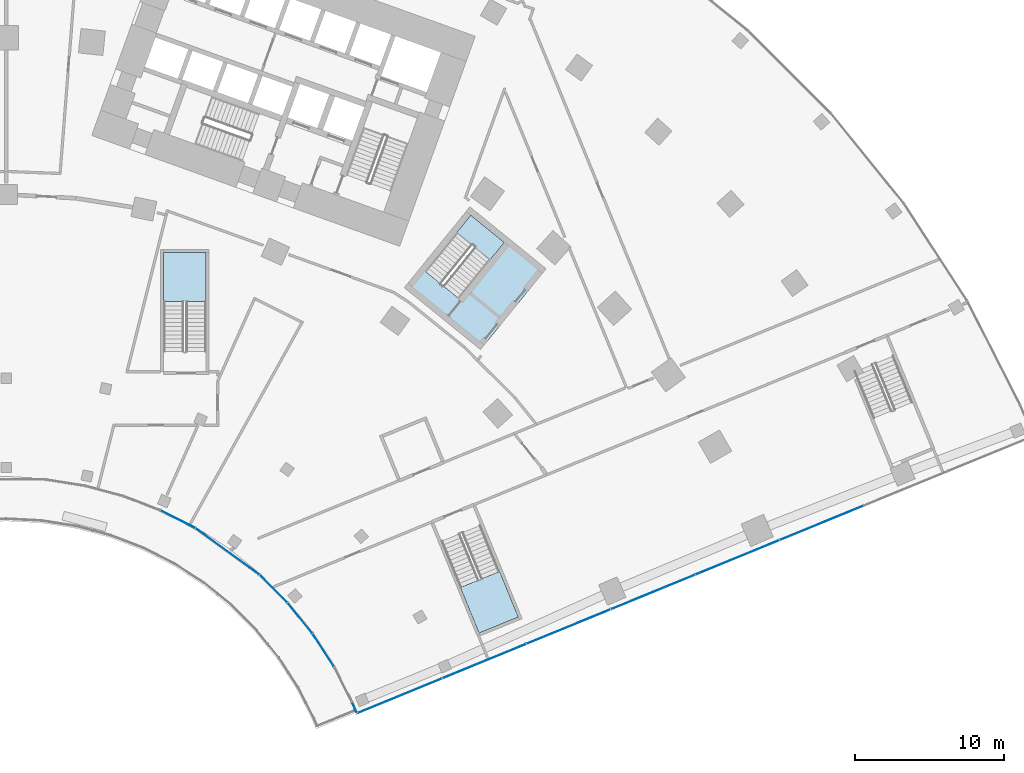
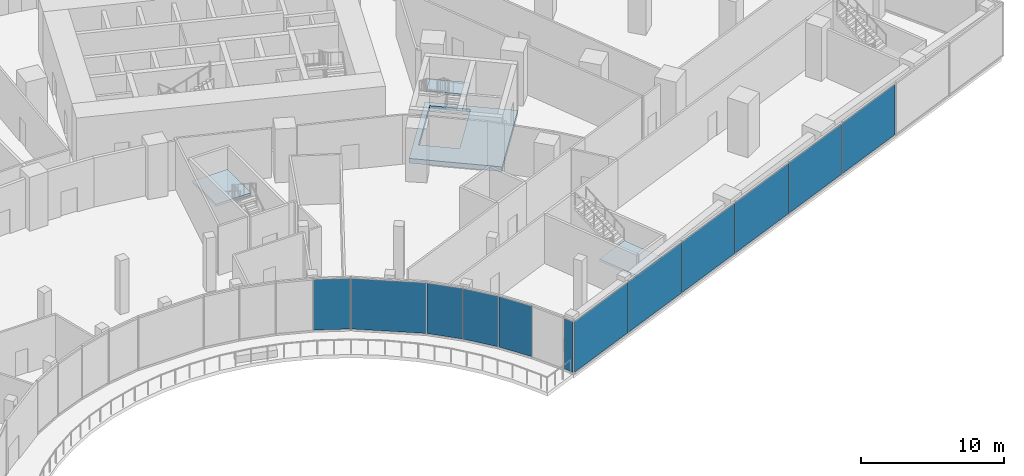
# One storey, part 19 of 39: 12 plates, 4 slabs, 5 elements without a shape of their own.
"""IFC4 building model written with IfcOpenShell, lengths in metres."""

from ifc_helpers import new_model, si_unit, direction, frame, origin, origin_2d, place, context, subcontext, project, spatial, polyline, rectangle, outline, extrude, material, layer, layer_set, type_object, element, aggregate, save


model = new_model("IFC4")

# Units and contexts
model_context = context("Model", 3, precision=1e-05, world=origin(), true_north=direction((0.0, 1.0)))
body_context = subcontext(model_context, "Body", "Model", "MODEL_VIEW")
ifc_project = project(units=[si_unit("LENGTHUNIT", "METRE"), si_unit("AREAUNIT", "SQUARE_METRE"), si_unit("VOLUMEUNIT", "CUBIC_METRE"), si_unit("PLANEANGLEUNIT", "RADIAN"), si_unit("MASSUNIT", "GRAM", prefix="KILO")], contexts=[model_context])

# Site, building, storey
site_placement = place(None, origin())
site = spatial("IfcSite", under=ifc_project, at=site_placement, CompositionType="ELEMENT")
building_placement = place(site_placement, origin())
building = spatial("IfcBuilding", under=site, at=building_placement, Name="Stone Belt Terrace Tower", CompositionType="ELEMENT")
storey_placement = place(building_placement, frame((0.0, 0.0, 16.199951171875)))
storey = spatial("IfcBuildingStorey", under=building, at=storey_placement, Name="L03", CompositionType="ELEMENT", Elevation=16.199951171875)

# Curtain wall, plates
ifc_material_1 = material(Name="Aluminium 6063-T6 anodised frame", Category="aluminium")
ifc_layer_1 = layer(ifc_material_1, 0.14990234375)
ifc_layer_set_1 = layer_set([ifc_layer_1], Name="CW-D podium shopfront")
curtain_wall_type = type_object("IfcCurtainWallType", Name="CW-D podium shopfront", PredefinedType="NOTDEFINED", material=ifc_layer_set_1)
curtain_wall_1_placement = place(storey_placement, origin())
curtain_wall_1 = element("IfcCurtainWall", 1, at=curtain_wall_1_placement, inside=storey, type_object=curtain_wall_type, Name="CW-D concave face L03", PredefinedType="NOTDEFINED")
ifc_material_2 = material(Name="Clear double glazed unit")
ifc_layer_2 = layer(ifc_material_2, 0.031982421875)
ifc_layer_set_2 = layer_set([ifc_layer_2], Name="CW-D glass panel 32")
plate_type = type_object("IfcPlateType", Name="CW-D glass panel 32", PredefinedType="CURTAIN_PANEL", material=ifc_layer_set_2)
plate_1_placement = place(storey_placement, frame((11.525146484375, 22.62353515625, 0.14013671875), z_axis=(0.0, 0.0, 1.0), x_axis=(0.891006524188, -0.45399049974, 0.0)))
plate_1 = element("IfcPlate", 2, at=plate_1_placement, type_object=plate_type, Name="CW-D panel 15.1", PredefinedType="CURTAIN_PANEL", context=body_context, shape_type="SweptSolid", body=[
    extrude(rectangle(XDim=2.589599609375, YDim=0.031982421875, at=origin_2d()), origin(), (0.0, 0.0, 1.0), 4.320068359375),
])
plate_2_placement = place(storey_placement, frame((14.8623046875, 20.456298828125, 0.14013671875), z_axis=(0.0, 0.0, 1.0), x_axis=(0.809016994375, -0.587785252292, 0.0)))
plate_2 = element("IfcPlate", 3, at=plate_2_placement, type_object=plate_type, Name="CW-D panel 16.1", PredefinedType="CURTAIN_PANEL", context=body_context, shape_type="SweptSolid", body=[
    extrude(rectangle(XDim=5.24755859375, YDim=0.031982421875, at=origin_2d()), origin(), (0.0, 0.0, 1.0), 4.320068359375),
])
plate_3_placement = place(storey_placement, frame((17.954833984375, 17.9521484375, 0.14013671875), z_axis=(0.0, 0.0, 1.0), x_axis=(0.707106781187, -0.707106781187, 0.0)))
plate_3 = element("IfcPlate", 4, at=plate_3_placement, type_object=plate_type, Name="CW-D panel 17.1", PredefinedType="CURTAIN_PANEL", context=body_context, shape_type="SweptSolid", body=[
    extrude(rectangle(XDim=2.589599609375, YDim=0.031982421875, at=origin_2d()), origin(), (0.0, 0.0, 1.0), 4.320068359375),
])
plate_4_placement = place(storey_placement, frame((19.731689453125, 15.978515625, 0.14013671875), z_axis=(0.0, 0.0, 1.0), x_axis=(0.62932039105, -0.777145961457, 0.0)))
plate_4 = element("IfcPlate", 5, at=plate_4_placement, type_object=plate_type, Name="CW-D panel 18.1", PredefinedType="CURTAIN_PANEL", context=body_context, shape_type="SweptSolid", body=[
    extrude(rectangle(XDim=2.593505859375, YDim=0.031982421875, at=origin_2d()), origin(), (0.0, 0.0, 1.0), 4.320068359375),
])
plate_5_placement = place(storey_placement, frame((21.2939453125, 13.828369140625, 0.14013671875), z_axis=(0.0, 0.0, 1.0), x_axis=(0.544639035015, -0.838670567945, 0.0)))
plate_5 = element("IfcPlate", 6, at=plate_5_placement, type_object=plate_type, Name="CW-D panel 19.1", PredefinedType="CURTAIN_PANEL", context=body_context, shape_type="SweptSolid", body=[
    extrude(rectangle(XDim=2.593505859375, YDim=0.031982421875, at=origin_2d()), origin(), (0.0, 0.0, 1.0), 4.320068359375),
])
plate_6_placement = place(storey_placement, frame((23.383056640625, 9.975830078125, 0.14013671875), z_axis=(0.0, 0.0, 1.0), x_axis=(0.393033792222, -0.919524028056, 0.0)))
plate_6 = element("IfcPlate", 7, at=plate_6_placement, type_object=plate_type, Name="CW-D panel 21.1", PredefinedType="CURTAIN_PANEL", context=body_context, shape_type="SweptSolid", body=[
    extrude(rectangle(XDim=0.727294921875, YDim=0.031982421875, at=origin_2d()), origin(), (0.0, 0.0, 1.0), 4.320068359375),
])
aggregate(curtain_wall_1, [plate_1, plate_2, plate_3, plate_4, plate_5, plate_6])

curtain_wall_2_placement = place(storey_placement, origin())
curtain_wall_2 = element("IfcCurtainWall", 8, at=curtain_wall_2_placement, inside=storey, type_object=curtain_wall_type, Name="CW-D end face L03", PredefinedType="NOTDEFINED")
plate_7_placement = place(storey_placement, frame((26.443359375, 10.757080078125, 0.14013671875), z_axis=(0.0, 0.0, 1.0), x_axis=(0.925297074342, 0.379243093825, 0.0)))
plate_7 = element("IfcPlate", 9, at=plate_7_placement, type_object=plate_type, Name="CW-D panel 1.1", PredefinedType="CURTAIN_PANEL", context=body_context, shape_type="SweptSolid", body=[
    extrude(rectangle(XDim=6.094970703125, YDim=0.031982421875, at=origin_2d()), origin(), (0.0, 0.0, 1.0), 4.320068359375),
])
plate_8_placement = place(storey_placement, frame((32.124755859375, 13.085693359375, 0.14013671875), z_axis=(0.0, 0.0, 1.0), x_axis=(0.925297074342, 0.379243093825, 0.0)))
plate_8 = element("IfcPlate", 10, at=plate_8_placement, type_object=plate_type, Name="CW-D panel 2.1", PredefinedType="CURTAIN_PANEL", context=body_context, shape_type="SweptSolid", body=[
    extrude(rectangle(XDim=6.06494140625, YDim=0.031982421875, at=origin_2d()), origin(), (0.0, 0.0, 1.0), 4.320068359375),
])
plate_9_placement = place(storey_placement, frame((37.792236328125, 15.408447265625, 0.14013671875), z_axis=(0.0, 0.0, 1.0), x_axis=(0.925297074342, 0.379243093825, 0.0)))
plate_9 = element("IfcPlate", 11, at=plate_9_placement, type_object=plate_type, Name="CW-D panel 3.1", PredefinedType="CURTAIN_PANEL", context=body_context, shape_type="SweptSolid", body=[
    extrude(rectangle(XDim=6.06494140625, YDim=0.031982421875, at=origin_2d()), origin(), (0.0, 0.0, 1.0), 4.320068359375),
])
plate_10_placement = place(storey_placement, frame((43.45947265625, 17.7314453125, 0.14013671875), z_axis=(0.0, 0.0, 1.0), x_axis=(0.925297074342, 0.379243093825, 0.0)))
plate_10 = element("IfcPlate", 12, at=plate_10_placement, type_object=plate_type, Name="CW-D panel 4.1", PredefinedType="CURTAIN_PANEL", context=body_context, shape_type="SweptSolid", body=[
    extrude(rectangle(XDim=6.06494140625, YDim=0.031982421875, at=origin_2d()), origin(), (0.0, 0.0, 1.0), 4.320068359375),
])
plate_11_placement = place(storey_placement, frame((49.126953125, 20.05419921875, 0.14013671875), z_axis=(0.0, 0.0, 1.0), x_axis=(0.925297074342, 0.379243093825, 0.0)))
plate_11 = element("IfcPlate", 13, at=plate_11_placement, type_object=plate_type, Name="CW-D panel 5.1", PredefinedType="CURTAIN_PANEL", context=body_context, shape_type="SweptSolid", body=[
    extrude(rectangle(XDim=6.06494140625, YDim=0.031982421875, at=origin_2d()), origin(), (0.0, 0.0, 1.0), 4.320068359375),
])
plate_12_placement = place(storey_placement, frame((54.79443359375, 22.376953125, 0.14013671875), z_axis=(0.0, 0.0, 1.0), x_axis=(0.925297074342, 0.379243093825, 0.0)))
plate_12 = element("IfcPlate", 14, at=plate_12_placement, type_object=plate_type, Name="CW-D panel 6.1", PredefinedType="CURTAIN_PANEL", context=body_context, shape_type="SweptSolid", body=[
    extrude(rectangle(XDim=6.06494140625, YDim=0.031982421875, at=origin_2d()), origin(), (0.0, 0.0, 1.0), 4.320068359375),
])
aggregate(curtain_wall_2, [plate_7, plate_8, plate_9, plate_10, plate_11, plate_12])

# Slab
ifc_material_3 = material(Name="Concrete B40", Category="concrete")
ifc_layer_3 = layer(ifc_material_3, 0.39990234375)
ifc_layer_set_3 = layer_set([ifc_layer_3], Name="Core floor slab 400")
slab_type_1 = type_object("IfcSlabType", Name="Core floor slab 400", PredefinedType="FLOOR", material=ifc_layer_set_3)
slab_1_placement = place(storey_placement, frame((0.0, 0.0, -0.39990234375)))
element("IfcSlab", 15, at=slab_1_placement, inside=storey, type_object=slab_type_1, Name="Exit stair ST3B floor L03", PredefinedType="FLOOR", context=body_context, shape_type="SweptSolid", body=[
    extrude(outline(polyline([(26.741943359375, 38.18408203125), (31.866943359375, 34.02392578125), (36.278076171875, 39.458984375), (31.154052734375, 43.618896484375), (26.741943359375, 38.18408203125)]), holes=[polyline([(30.407958984375, 37.462890625), (28.156005859375, 39.291015625), (31.2119140625, 43.055908203125), (33.464111328125, 41.22802734375), (30.407958984375, 37.462890625)])]), origin(), (0.0, 0.0, 1.0), 0.39990234375),
])

# Stair, slab
ifc_material_4 = material(Name="Concrete B30", Category="concrete")
stair_type_1 = type_object("IfcStairType", Name="Podium stair concrete B30", PredefinedType="HALF_TURN_STAIR", material=ifc_material_4)
stair_1_placement = place(storey_placement, origin())
stair_1 = element("IfcStair", 16, at=stair_1_placement, inside=storey, type_object=stair_type_1, Name="L03 podium exit stair 3", PredefinedType="HALF_TURN_STAIR")
ifc_layer_4 = layer(ifc_material_4, 0.199951171875)
ifc_layer_set_4 = layer_set([ifc_layer_4], Name="Podium stair landing concrete B30")
slab_type_2 = type_object("IfcSlabType", Name="Podium stair landing concrete B30", PredefinedType="LANDING", material=ifc_layer_set_4)
slab_2_placement = place(storey_placement, frame((0.0, 0.0, 2.10009765625)))
slab_2 = element("IfcSlab", 17, at=slab_2_placement, type_object=slab_type_2, Name="PS3 landing 1", PredefinedType="LANDING", context=body_context, shape_type="SweptSolid", body=[
    extrude(outline(polyline([(30.515625, 18.032958984375), (31.772216796875, 14.967529296875), (34.4091796875, 16.04833984375), (33.15283203125, 19.11376953125), (30.515625, 18.032958984375)])), origin(), (0.0, 0.0, 1.0), 0.199951171875),
])
aggregate(stair_1, [slab_2])

stair_2_placement = place(storey_placement, origin())
stair_2 = element("IfcStair", 18, at=stair_2_placement, inside=storey, type_object=stair_type_1, Name="L03 podium exit stair 6", PredefinedType="HALF_TURN_STAIR")
slab_3_placement = place(storey_placement, frame((0.0, 0.0, 2.10009765625)))
slab_3 = element("IfcSlab", 19, at=slab_3_placement, type_object=slab_type_2, Name="PS6 landing 1", PredefinedType="LANDING", context=body_context, shape_type="SweptSolid", body=[
    extrude(outline(polyline([(13.425048828125, 37.2470703125), (13.425048828125, 40.56005859375), (10.574951171875, 40.56005859375), (10.574951171875, 37.2470703125), (13.425048828125, 37.2470703125)])), origin(), (0.0, 0.0, 1.0), 0.199951171875),
])
aggregate(stair_2, [slab_3])

stair_type_2 = type_object("IfcStairType", Name="Exit stair 1500", PredefinedType="HALF_TURN_STAIR", material=ifc_material_3)
stair_3_placement = place(storey_placement, origin())
stair_3 = element("IfcStair", 20, at=stair_3_placement, inside=storey, type_object=stair_type_2, Name="L03 Exit stair 3B", PredefinedType="HALF_TURN_STAIR")
ifc_layer_5 = layer(ifc_material_3, 0.199951171875)
ifc_layer_set_5 = layer_set([ifc_layer_5], Name="Stair landing 200")
slab_type_3 = type_object("IfcSlabType", Name="Stair landing 200", PredefinedType="LANDING", material=ifc_layer_set_5)
slab_4_placement = place(storey_placement, frame((0.0, 0.0, 2.10009765625)))
slab_4 = element("IfcSlab", 21, at=slab_4_placement, type_object=slab_type_3, Name="ST3B landing 1", PredefinedType="LANDING", context=body_context, shape_type="SweptSolid", body=[
    extrude(outline(polyline([(32.5244140625, 40.07080078125), (33.4638671875, 41.228271484375), (31.21240234375, 43.055908203125), (30.272705078125, 41.8984375), (32.5244140625, 40.07080078125)])), origin(), (0.0, 0.0, 1.0), 0.199951171875),
])
aggregate(stair_3, [slab_4])

save(model, "model.ifc")
